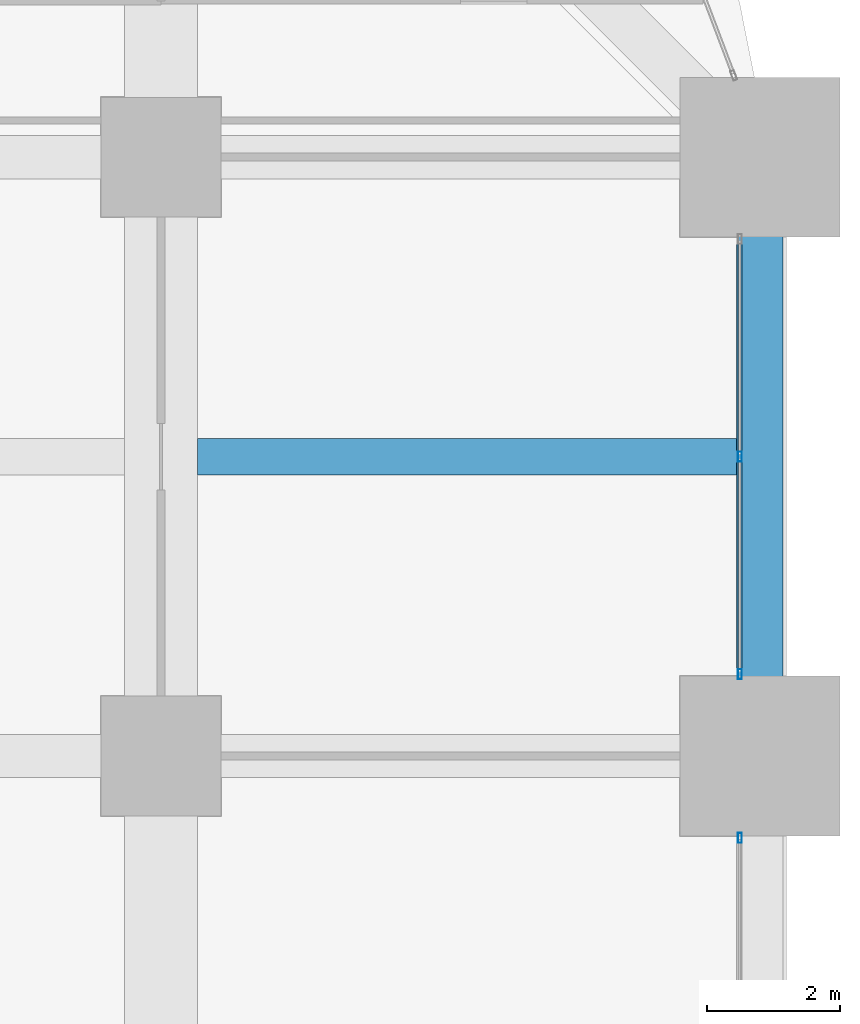
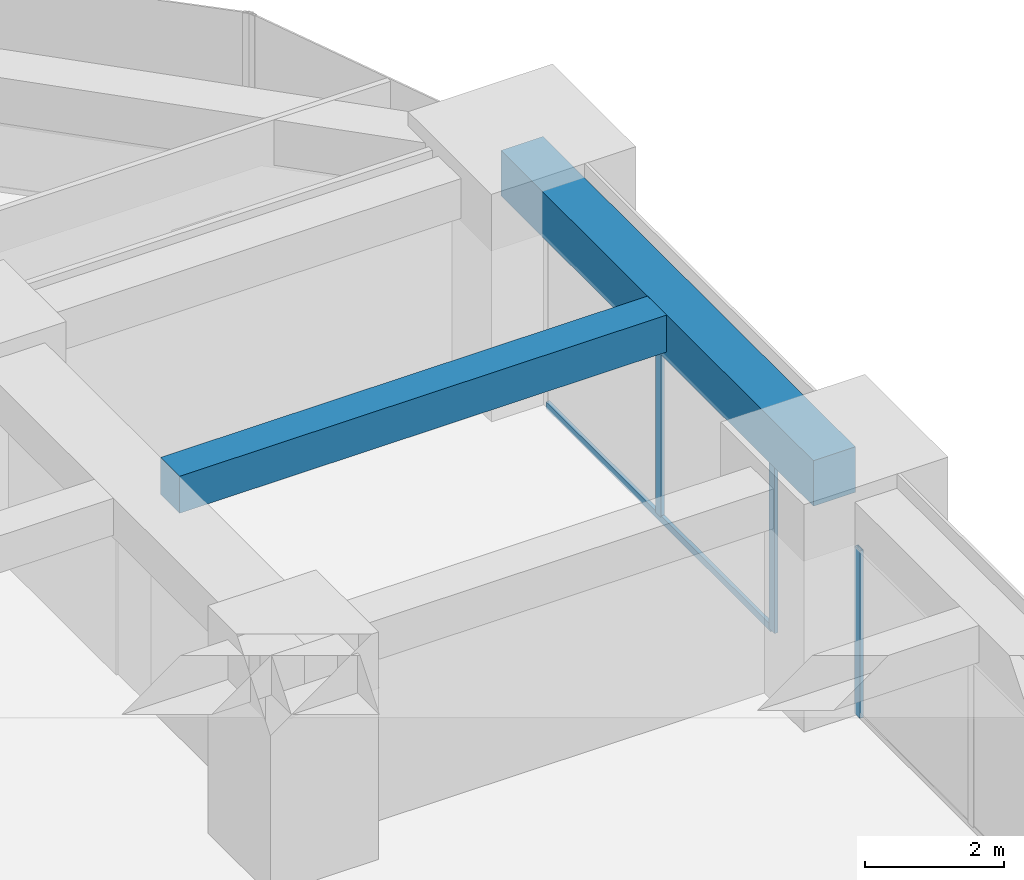
# One storey, part 23 of 41: 4 members, 2 beams, 2 elements without a shape of their own.
"""IFC4 building model written with IfcOpenShell, lengths in metres."""

from ifc_helpers import new_model, si_unit, direction, frame, origin, origin_2d, place, context, subcontext, project, spatial, rectangle, hollow_rectangle, extrude, material, material_profile, profile_set, type_object, element, aggregate, save


model = new_model("IFC4")

# Units and contexts
model_context = context("Model", 3, precision=1e-05, world=origin(), true_north=direction((0.0, 1.0)))
body_context = subcontext(model_context, "Body", "Model", "MODEL_VIEW")
ifc_project = project(units=[si_unit("LENGTHUNIT", "METRE"), si_unit("AREAUNIT", "SQUARE_METRE"), si_unit("VOLUMEUNIT", "CUBIC_METRE"), si_unit("PLANEANGLEUNIT", "RADIAN"), si_unit("MASSUNIT", "GRAM", prefix="KILO")], contexts=[model_context])

# Site, building, storey
site_placement = place(None, origin())
site = spatial("IfcSite", under=ifc_project, at=site_placement, CompositionType="ELEMENT")
building_placement = place(site_placement, origin())
building = spatial("IfcBuilding", under=site, at=building_placement, Name="Zorevar Civic Tower", CompositionType="ELEMENT")
storey_placement = place(building_placement, frame((0.0, 0.0, 137.0)))
storey = spatial("IfcBuildingStorey", under=building, at=storey_placement, Name="L33", CompositionType="ELEMENT", Elevation=137.0)

# Beam
ifc_material_1 = material(Name="Concrete C50/60", Category="concrete")
ifc_material_profile_1 = material_profile(ifc_material_1, rectangle(XDim=0.550048828125, YDim=0.64990234375, at=origin_2d()), Name="RC 550x650")
ifc_profile_set_1 = profile_set([ifc_material_profile_1], Name="Concrete C50/60")
beam_type_1 = type_object("IfcBeamType", Name="Beam RC 550x650", PredefinedType="BEAM", material=ifc_profile_set_1)
beam_1_placement = place(storey_placement, frame((54.550048828125, 31.5, 3.425048828125), z_axis=(1.0, 0.0, 0.0), x_axis=(0.0, 1.0, 0.0)))
element("IfcBeam", 1, at=beam_1_placement, inside=storey, type_object=beam_type_1, Name="Secondary beam L34", PredefinedType="BEAM", context=body_context, shape_type="SweptSolid", body=[
    extrude(rectangle(XDim=0.550048828125, YDim=0.64990234375, at=origin_2d()), origin(), (0.0, 0.0, 1.0), 8.099853515625),
])

# Curtain wall, member
ifc_material_2 = material(Name="Dark grey solar-control glass in black aluminium frame", Category="aluminium")
curtain_wall_type = type_object("IfcCurtainWallType", Name="Curtain wall CW3 mid zone", PredefinedType="NOTDEFINED", material=ifc_material_2)
curtain_wall_1_placement = place(storey_placement, origin())
curtain_wall_1 = element("IfcCurtainWall", 2, at=curtain_wall_1_placement, inside=storey, type_object=curtain_wall_type, Name="CW3 L33", PredefinedType="NOTDEFINED")
ifc_material_3 = material(Name="Aluminium, black anodised", Category="aluminium")
ifc_material_profile_2 = material_profile(ifc_material_3, hollow_rectangle(XDim=0.06005859375, YDim=0.14990234375, WallThickness=0.00390625, at=origin_2d()), Name="AL 150x60x4")
ifc_profile_set_2 = profile_set([ifc_material_profile_2], Name="Aluminium, black anodised")
member_type_1 = type_object("IfcMemberType", Name="CW3 mullion AL 150x60x4", PredefinedType="MULLION", material=ifc_profile_set_2)
member_1_placement = place(storey_placement, frame((62.699951171875, 25.77001953125, 0.0), z_axis=(0.0, 0.0, 1.0), x_axis=(-1.0, 0.0, 0.0)))
member_1 = element("IfcMember", 3, at=member_1_placement, type_object=member_type_1, Name="CW3 mullion 3", PredefinedType="MULLION", context=body_context, shape_type="SweptSolid", body=[
    extrude(hollow_rectangle(XDim=0.06005859375, YDim=0.14990234375, WallThickness=0.00390625, at=origin_2d()), origin(), (0.0, 0.0, 1.0), 2.949951171875),
])
aggregate(curtain_wall_1, [member_1])

# Curtain wall, members
curtain_wall_2_placement = place(storey_placement, origin())
curtain_wall_2 = element("IfcCurtainWall", 4, at=curtain_wall_2_placement, inside=storey, type_object=curtain_wall_type, Name="CW3 L33", PredefinedType="NOTDEFINED")
member_2_placement = place(storey_placement, frame((62.699951171875, 28.22998046875, 0.0), z_axis=(0.0, 0.0, 1.0), x_axis=(-1.0, 0.0, 0.0)))
member_2 = element("IfcMember", 5, at=member_2_placement, type_object=member_type_1, Name="CW3 mullion 1", PredefinedType="MULLION", context=body_context, shape_type="SweptSolid", body=[
    extrude(hollow_rectangle(XDim=0.06005859375, YDim=0.14990234375, WallThickness=0.00390625, at=origin_2d()), origin(), (0.0, 0.0, 1.0), 2.949951171875),
])
member_3_placement = place(storey_placement, frame((62.699951171875, 31.5, 0.06005859375), z_axis=(0.0, 0.0, 1.0), x_axis=(-1.0, 0.0, 0.0)))
member_3 = element("IfcMember", 6, at=member_3_placement, type_object=member_type_1, Name="CW3 mullion 2", PredefinedType="MULLION", context=body_context, shape_type="SweptSolid", body=[
    extrude(hollow_rectangle(XDim=0.06005859375, YDim=0.14990234375, WallThickness=0.00390625, at=origin_2d()), origin(), (0.0, 0.0, 1.0), 2.889892578125),
])
ifc_material_4 = material(Name="Aluminium, black anodised", Category="aluminium")
ifc_material_profile_3 = material_profile(ifc_material_4, hollow_rectangle(XDim=0.06005859375, YDim=0.1201171875, WallThickness=0.0029296875, at=origin_2d()), Name="AL 120x60x3")
ifc_profile_set_3 = profile_set([ifc_material_profile_3], Name="Aluminium, black anodised")
member_type_2 = type_object("IfcMemberType", Name="CW3 transom AL 120x60x3", PredefinedType="USERDEFINED", material=ifc_profile_set_3)
member_4_placement = place(storey_placement, frame((62.699951171875, 28.260009765625, 0.030029296875), z_axis=(0.0, 1.0, 0.0), x_axis=(-1.0, 0.0, 0.0)))
member_4 = element("IfcMember", 7, at=member_4_placement, type_object=member_type_2, Name="CW3 sill transom", ObjectType="TRANSOM", PredefinedType="USERDEFINED", context=body_context, shape_type="SweptSolid", body=[
    extrude(hollow_rectangle(XDim=0.06005859375, YDim=0.1201171875, WallThickness=0.0029296875, at=origin_2d()), origin(), (0.0, 0.0, 1.0), 6.47998046875),
])
aggregate(curtain_wall_2, [member_2, member_3, member_4])

# Beam
ifc_material_5 = material(Name="Concrete C50/60", Category="concrete")
ifc_material_profile_4 = material_profile(ifc_material_5, rectangle(XDim=0.699951171875, YDim=0.800048828125, at=origin_2d()), Name="RC 700x800")
ifc_profile_set_4 = profile_set([ifc_material_profile_4], Name="Concrete C50/60")
beam_type_2 = type_object("IfcBeamType", Name="Edge beam RC 700x800", PredefinedType="SPANDREL", material=ifc_profile_set_4)
beam_2_placement = place(storey_placement, frame((63.0, 27.0, 3.35009765625), z_axis=(0.0, 1.0, 0.0), x_axis=(-1.0, 0.0, 0.0)))
element("IfcBeam", 8, at=beam_2_placement, inside=storey, type_object=beam_type_2, Name="Edge beam L34", PredefinedType="SPANDREL", context=body_context, shape_type="SweptSolid", body=[
    extrude(rectangle(XDim=0.699951171875, YDim=0.800048828125, at=origin_2d()), origin(), (0.0, 0.0, 1.0), 9.0),
])

save(model, "model.ifc")
